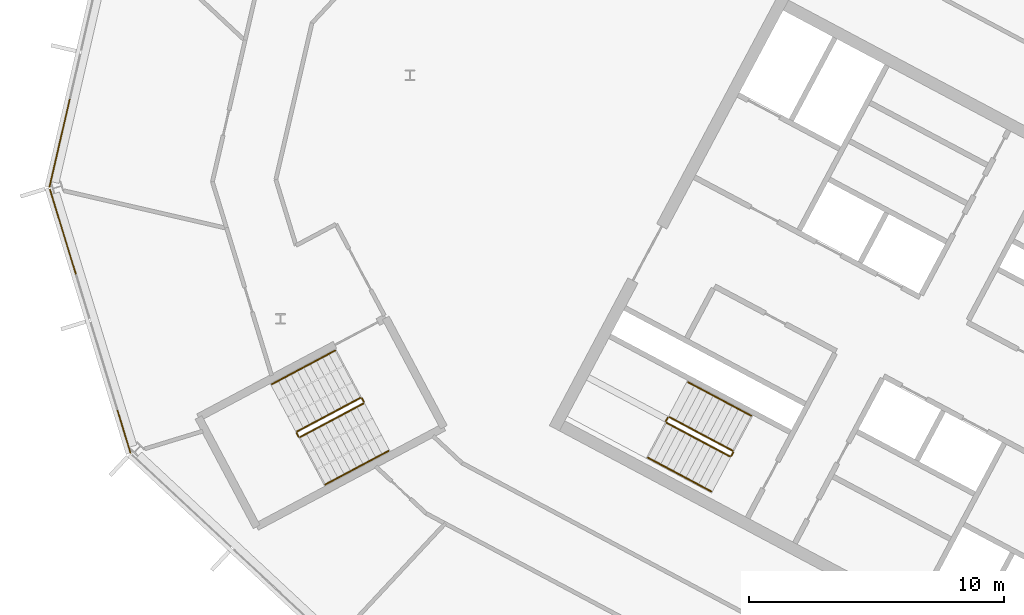
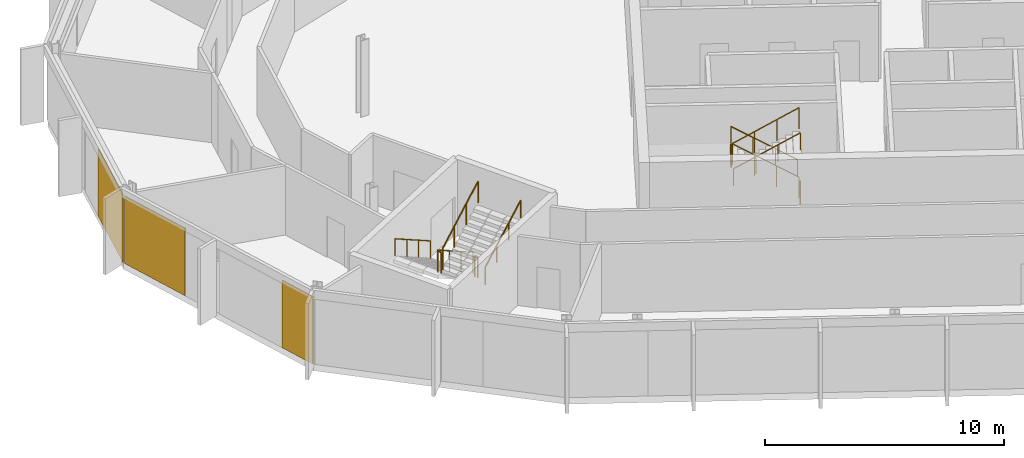
# One storey, part 20 of 25: 12 railings, 3 coverings, 2 elements without a shape of their own.
"""IFC4 building model written with IfcOpenShell, lengths in metres."""

from ifc_helpers import new_model, si_unit, direction, frame, origin, origin_2d, place, context, subcontext, project, spatial, polyline, rectangle, outline, extrude, material, layer, layer_set, type_object, element, aggregate, save


model = new_model("IFC4")

# Units and contexts
model_context = context("Model", 3, precision=1e-05, world=origin(), true_north=direction((0.0, 1.0)))
body_context = subcontext(model_context, "Body", "Model", "MODEL_VIEW")
ifc_project = project(units=[si_unit("LENGTHUNIT", "METRE"), si_unit("AREAUNIT", "SQUARE_METRE"), si_unit("VOLUMEUNIT", "CUBIC_METRE"), si_unit("PLANEANGLEUNIT", "RADIAN"), si_unit("MASSUNIT", "GRAM", prefix="KILO")], contexts=[model_context])

# Site, building, storey
site_placement = place(None, origin())
site = spatial("IfcSite", under=ifc_project, at=site_placement, CompositionType="ELEMENT")
building_placement = place(site_placement, origin())
building = spatial("IfcBuilding", under=site, at=building_placement, Name="Cormorant Relay Tower", CompositionType="ELEMENT")
storey_placement = place(building_placement, frame((0.0, 0.0, 289.199951171875)))
storey = spatial("IfcBuildingStorey", under=building, at=storey_placement, Name="L65", CompositionType="ELEMENT", Elevation=289.199951171875)

# Curtain wall, covering
ifc_material_1 = material(Name="Aluminium 6063-T6 anodised bronze", Category="aluminium")
ifc_layer_1 = layer(ifc_material_1, 0.199951171875)
ifc_layer_set_1 = layer_set([ifc_layer_1], Name="CW1 unitised bronze curtain wall with vertical fins")
curtain_wall_type = type_object("IfcCurtainWallType", Name="CW1 unitised bronze curtain wall with vertical fins", PredefinedType="NOTDEFINED", material=ifc_layer_set_1)
curtain_wall_1_placement = place(storey_placement, origin())
curtain_wall_1 = element("IfcCurtainWall", 1, at=curtain_wall_1_placement, inside=storey, type_object=curtain_wall_type, Name="CW1 curtain wall 13", PredefinedType="NOTDEFINED")
ifc_material_2 = material(Name="Pale bronze anodised aluminium insulated panel", Category="aluminium")
ifc_layer_2 = layer(ifc_material_2, 0.0400390625)
ifc_layer_set_2 = layer_set([ifc_layer_2], Name="CW1 pale bronze insulated panel 40")
covering_type = type_object("IfcCoveringType", Name="CW1 pale bronze insulated panel 40", PredefinedType="CLADDING", material=ifc_layer_set_2)
covering_1_placement = place(storey_placement, frame((-60.3388671875, 22.13232421875, 0.0), z_axis=(0.0, 0.0, 1.0), x_axis=(-0.224951054344, -0.974370064785, 0.0)))
covering_1 = element("IfcCovering", 2, at=covering_1_placement, type_object=covering_type, Name="CW1 panel S02", PredefinedType="CLADDING", context=body_context, shape_type="SweptSolid", body=[
    extrude(rectangle(XDim=3.560302734375, YDim=0.0400390625, at=origin_2d()), origin(), (0.0, 0.0, 1.0), 3.449951171875),
])
aggregate(curtain_wall_1, [covering_1])

# Curtain wall, coverings
curtain_wall_2_placement = place(storey_placement, origin())
curtain_wall_2 = element("IfcCurtainWall", 3, at=curtain_wall_2_placement, inside=storey, type_object=curtain_wall_type, Name="CW1 curtain wall 14", PredefinedType="NOTDEFINED")
covering_2_placement = place(storey_placement, frame((-60.20751953125, 18.6494140625, 0.0), z_axis=(0.0, 0.0, 1.0), x_axis=(0.292371704723, -0.956304755963, 0.0)))
covering_2 = element("IfcCovering", 4, at=covering_2_placement, type_object=covering_type, Name="CW1 panel S00", PredefinedType="CLADDING", context=body_context, shape_type="SweptSolid", body=[
    extrude(rectangle(XDim=3.485107421875, YDim=0.0400390625, at=origin_2d()), origin(), (0.0, 0.0, 1.0), 3.449951171875),
])
covering_3_placement = place(storey_placement, frame((-57.818115234375, 10.833740234375, 0.0), z_axis=(0.0, 0.0, 1.0), x_axis=(0.292371704723, -0.956304755963, 0.0)))
covering_3 = element("IfcCovering", 5, at=covering_3_placement, type_object=covering_type, Name="CW1 panel S03", PredefinedType="CLADDING", context=body_context, shape_type="SweptSolid", body=[
    extrude(rectangle(XDim=1.76025390625, YDim=0.0400390625, at=origin_2d()), origin(), (0.0, 0.0, 1.0), 3.449951171875),
])
aggregate(curtain_wall_2, [covering_2, covering_3])

# Railings
ifc_material_3 = material(Name="Steel ASTM A572 Grade 50 (Fy 345 MPa)", Category="steel")
railing_type_1 = type_object("IfcRailingType", Name="Stair guard 1100", PredefinedType="GUARDRAIL", material=ifc_material_3)
railing_1_placement = place(storey_placement, frame((-33.9921875, 10.08935546875, 0.17724609375)))
element("IfcRailing", 6, at=railing_1_placement, inside=storey, type_object=railing_type_1, Name="L65 A2 stair guard 1", PredefinedType="GUARDRAIL", context=body_context, shape_type="SweptSolid", body=[
    extrude(outline(polyline([(0.022216796875, 0.00927734375), (0.00927734375, 0.022216796875), (-0.00927734375, 0.022216796875), (-0.022216796875, 0.00927734375), (-0.022216796875, -0.00927734375), (-0.00927734375, -0.022216796875), (0.00927734375, -0.022216796875), (0.022216796875, -0.00927734375), (0.022216796875, 0.00927734375)])), frame((0.0, 0.0, 1.076171875), z_axis=(-0.746001213114, 0.396649272309, 0.534931345884), x_axis=(-0.469465464807, -0.882950835185, 0.0)), (0.0, 0.0, 1.0), 3.31396484375),
    extrude(outline(polyline([(0.019287109375, 0.008056640625), (0.008056640625, 0.019287109375), (-0.008056640625, 0.019287109375), (-0.019287109375, 0.008056640625), (-0.019287109375, -0.008056640625), (-0.008056640625, -0.019287109375), (0.008056640625, -0.019287109375), (0.019287109375, -0.008056640625), (0.019287109375, 0.008056640625)])), origin(), (0.0, 0.0, 1.0), 1.052001953125),
    extrude(outline(polyline([(0.019287109375, 0.008056640625), (0.008056640625, 0.019287109375), (-0.008056640625, 0.019287109375), (-0.019287109375, 0.008056640625), (-0.019287109375, -0.008056640625), (-0.008056640625, -0.019287109375), (0.008056640625, -0.019287109375), (0.019287109375, -0.008056640625), (0.019287109375, 0.008056640625)])), frame((-0.823974609375, 0.438232421875, 0.5908203125)), (0.0, 0.0, 1.0), 1.052001953125),
    extrude(outline(polyline([(0.019287109375, 0.008056640625), (0.008056640625, 0.019287109375), (-0.008056640625, 0.019287109375), (-0.019287109375, 0.008056640625), (-0.019287109375, -0.008056640625), (-0.008056640625, -0.019287109375), (0.008056640625, -0.019287109375), (0.019287109375, -0.008056640625), (0.019287109375, 0.008056640625)])), frame((-1.648193359375, 0.876220703125, 1.181884765625)), (0.0, 0.0, 1.0), 1.052001953125),
    extrude(outline(polyline([(0.019287109375, 0.008056640625), (0.008056640625, 0.019287109375), (-0.008056640625, 0.019287109375), (-0.019287109375, 0.008056640625), (-0.019287109375, -0.008056640625), (-0.008056640625, -0.019287109375), (0.008056640625, -0.019287109375), (0.019287109375, -0.008056640625), (0.019287109375, 0.008056640625)])), frame((-2.47216796875, 1.314453125, 1.772705078125)), (0.0, 0.0, 1.0), 1.052001953125),
])
railing_2_placement = place(storey_placement, frame((-36.531982421875, 11.38330078125, 1.949951171875)))
element("IfcRailing", 7, at=railing_2_placement, inside=storey, type_object=railing_type_1, Name="L65 A2 stair guard 2", PredefinedType="GUARDRAIL", context=body_context, shape_type="SweptSolid", body=[
    extrude(outline(polyline([(0.022216796875, 0.00927734375), (0.00927734375, 0.022216796875), (-0.00927734375, 0.022216796875), (-0.022216796875, 0.00927734375), (-0.022216796875, -0.00927734375), (-0.00927734375, -0.022216796875), (0.00927734375, -0.022216796875), (0.022216796875, -0.00927734375), (0.022216796875, 0.00927734375)])), frame((0.0, 0.0, 1.076171875), z_axis=(-0.469828648786, -0.882757634224, 0.0), x_axis=(0.882757634224, -0.469828648786, 0.0)), (0.0, 0.0, 1.0), 0.150146484375),
    extrude(outline(polyline([(0.019287109375, 0.008056640625), (0.008056640625, 0.019287109375), (-0.008056640625, 0.019287109375), (-0.019287109375, 0.008056640625), (-0.019287109375, -0.008056640625), (-0.008056640625, -0.019287109375), (0.008056640625, -0.019287109375), (0.019287109375, -0.008056640625), (0.019287109375, 0.008056640625)])), origin(), (0.0, 0.0, 1.0), 1.052001953125),
    extrude(outline(polyline([(0.019287109375, 0.008056640625), (0.008056640625, 0.019287109375), (-0.008056640625, 0.019287109375), (-0.019287109375, 0.008056640625), (-0.019287109375, -0.008056640625), (-0.008056640625, -0.019287109375), (0.008056640625, -0.019287109375), (0.019287109375, -0.008056640625), (0.019287109375, 0.008056640625)])), frame((-0.070556640625, -0.132568359375, 0.0)), (0.0, 0.0, 1.0), 1.052001953125),
])
railing_3_placement = place(storey_placement, frame((-36.581787109375, 11.18310546875, 2.12744140625)))
element("IfcRailing", 8, at=railing_3_placement, inside=storey, type_object=railing_type_1, Name="L65 A2 stair guard 3", PredefinedType="GUARDRAIL", context=body_context, shape_type="SweptSolid", body=[
    extrude(outline(polyline([(0.022216796875, 0.00927734375), (0.00927734375, 0.022216796875), (-0.00927734375, 0.022216796875), (-0.022216796875, 0.00927734375), (-0.022216796875, -0.00927734375), (-0.00927734375, -0.022216796875), (0.00927734375, -0.022216796875), (0.022216796875, -0.00927734375), (0.022216796875, 0.00927734375)])), frame((0.0, 0.0, 1.076171875), z_axis=(0.746001213114, -0.396649272309, 0.534931345884), x_axis=(0.469465464807, 0.882950835185, 0.0)), (0.0, 0.0, 1.0), 3.31396484375),
    extrude(outline(polyline([(0.019287109375, 0.008056640625), (0.008056640625, 0.019287109375), (-0.008056640625, 0.019287109375), (-0.019287109375, 0.008056640625), (-0.019287109375, -0.008056640625), (-0.008056640625, -0.019287109375), (0.008056640625, -0.019287109375), (0.019287109375, -0.008056640625), (0.019287109375, 0.008056640625)])), origin(), (0.0, 0.0, 1.0), 1.052001953125),
    extrude(outline(polyline([(0.019287109375, 0.008056640625), (0.008056640625, 0.019287109375), (-0.008056640625, 0.019287109375), (-0.019287109375, 0.008056640625), (-0.019287109375, -0.008056640625), (-0.008056640625, -0.019287109375), (0.008056640625, -0.019287109375), (0.019287109375, -0.008056640625), (0.019287109375, 0.008056640625)])), frame((0.823974609375, -0.438232421875, 0.5908203125)), (0.0, 0.0, 1.0), 1.052001953125),
    extrude(outline(polyline([(0.019287109375, 0.008056640625), (0.008056640625, 0.019287109375), (-0.008056640625, 0.019287109375), (-0.019287109375, 0.008056640625), (-0.019287109375, -0.008056640625), (-0.008056640625, -0.019287109375), (0.008056640625, -0.019287109375), (0.019287109375, -0.008056640625), (0.019287109375, 0.008056640625)])), frame((1.648193359375, -0.876220703125, 1.181884765625)), (0.0, 0.0, 1.0), 1.052001953125),
    extrude(outline(polyline([(0.019287109375, 0.008056640625), (0.008056640625, 0.019287109375), (-0.008056640625, 0.019287109375), (-0.019287109375, 0.008056640625), (-0.019287109375, -0.008056640625), (-0.008056640625, -0.019287109375), (0.008056640625, -0.019287109375), (0.019287109375, -0.008056640625), (0.019287109375, 0.008056640625)])), frame((2.47216796875, -1.314453125, 1.772705078125)), (0.0, 0.0, 1.0), 1.052001953125),
])
railing_4_placement = place(storey_placement, frame((-33.971435546875, 10.021728515625, 0.0)))
element("IfcRailing", 9, at=railing_4_placement, inside=storey, type_object=railing_type_1, Name="L65 A2 stair guard 4", PredefinedType="GUARDRAIL", context=body_context, shape_type="SweptSolid", body=[
    extrude(outline(polyline([(0.022216796875, 0.00927734375), (0.00927734375, 0.022216796875), (-0.00927734375, 0.022216796875), (-0.022216796875, 0.00927734375), (-0.022216796875, -0.00927734375), (-0.00927734375, -0.022216796875), (0.00927734375, -0.022216796875), (0.022216796875, -0.00927734375), (0.022216796875, 0.00927734375)])), frame((0.0, 0.0, 1.076171875), z_axis=(-0.470503732759, -0.882398003998, 0.0), x_axis=(0.882398003998, -0.470503732759, 0.0)), (0.0, 0.0, 1.0), 0.14990234375),
    extrude(outline(polyline([(0.019287109375, 0.008056640625), (0.008056640625, 0.019287109375), (-0.008056640625, 0.019287109375), (-0.019287109375, 0.008056640625), (-0.019287109375, -0.008056640625), (-0.008056640625, -0.019287109375), (0.008056640625, -0.019287109375), (0.019287109375, -0.008056640625), (0.019287109375, 0.008056640625)])), origin(), (0.0, 0.0, 1.0), 1.052001953125),
    extrude(outline(polyline([(0.019287109375, 0.008056640625), (0.008056640625, 0.019287109375), (-0.008056640625, 0.019287109375), (-0.019287109375, 0.008056640625), (-0.019287109375, -0.008056640625), (-0.008056640625, -0.019287109375), (0.008056640625, -0.019287109375), (0.019287109375, -0.008056640625), (0.019287109375, 0.008056640625)])), frame((-0.070556640625, -0.13232421875, 0.0)), (0.0, 0.0, 1.0), 1.052001953125),
])
railing_5_placement = place(storey_placement, frame((-48.5693359375, 12.155517578125, 0.17724609375)))
element("IfcRailing", 10, at=railing_5_placement, inside=storey, type_object=railing_type_1, Name="L65 RP1 stair guard 1", PredefinedType="GUARDRAIL", context=body_context, shape_type="SweptSolid", body=[
    extrude(outline(polyline([(0.022216796875, 0.00927734375), (0.00927734375, 0.022216796875), (-0.00927734375, 0.022216796875), (-0.022216796875, 0.00927734375), (-0.022216796875, -0.00927734375), (-0.00927734375, -0.022216796875), (0.00927734375, -0.022216796875), (0.022216796875, -0.00927734375), (0.022216796875, 0.00927734375)])), frame((0.0, 0.0, 1.076171875), z_axis=(-0.746012083385, -0.396689549623, 0.534886317514), x_axis=(0.469497295046, -0.882933910293, 0.0)), (0.0, 0.0, 1.0), 3.314208984375),
    extrude(outline(polyline([(0.019287109375, 0.008056640625), (0.008056640625, 0.019287109375), (-0.008056640625, 0.019287109375), (-0.019287109375, 0.008056640625), (-0.019287109375, -0.008056640625), (-0.008056640625, -0.019287109375), (0.008056640625, -0.019287109375), (0.019287109375, -0.008056640625), (0.019287109375, 0.008056640625)])), origin(), (0.0, 0.0, 1.0), 1.052001953125),
    extrude(outline(polyline([(0.019287109375, 0.008056640625), (0.008056640625, 0.019287109375), (-0.008056640625, 0.019287109375), (-0.019287109375, 0.008056640625), (-0.019287109375, -0.008056640625), (-0.008056640625, -0.019287109375), (0.008056640625, -0.019287109375), (0.019287109375, -0.008056640625), (0.019287109375, 0.008056640625)])), frame((-0.82421875, -0.438232421875, 0.5908203125)), (0.0, 0.0, 1.0), 1.052001953125),
    extrude(outline(polyline([(0.019287109375, 0.008056640625), (0.008056640625, 0.019287109375), (-0.008056640625, 0.019287109375), (-0.019287109375, 0.008056640625), (-0.019287109375, -0.008056640625), (-0.008056640625, -0.019287109375), (0.008056640625, -0.019287109375), (0.019287109375, -0.008056640625), (0.019287109375, 0.008056640625)])), frame((-1.648193359375, -0.87646484375, 1.181884765625)), (0.0, 0.0, 1.0), 1.052001953125),
    extrude(outline(polyline([(0.019287109375, 0.008056640625), (0.008056640625, 0.019287109375), (-0.008056640625, 0.019287109375), (-0.019287109375, 0.008056640625), (-0.019287109375, -0.008056640625), (-0.008056640625, -0.019287109375), (0.008056640625, -0.019287109375), (0.019287109375, -0.008056640625), (0.019287109375, 0.008056640625)])), frame((-2.472412109375, -1.314697265625, 1.772705078125)), (0.0, 0.0, 1.0), 1.052001953125),
])
railing_6_placement = place(storey_placement, frame((-51.062255859375, 10.773193359375, 1.949951171875)))
element("IfcRailing", 11, at=railing_6_placement, inside=storey, type_object=railing_type_1, Name="L65 RP1 stair guard 2", PredefinedType="GUARDRAIL", context=body_context, shape_type="SweptSolid", body=[
    extrude(outline(polyline([(0.022216796875, 0.00927734375), (0.00927734375, 0.022216796875), (-0.00927734375, 0.022216796875), (-0.022216796875, 0.00927734375), (-0.022216796875, -0.00927734375), (-0.00927734375, -0.022216796875), (0.00927734375, -0.022216796875), (0.022216796875, -0.00927734375), (0.022216796875, 0.00927734375)])), frame((0.0, 0.0, 1.076171875), z_axis=(0.469234640946, -0.883073525669, 0.0), x_axis=(0.883073525669, 0.469234640946, 0.0)), (0.0, 0.0, 1.0), 0.14990234375),
    extrude(outline(polyline([(0.019287109375, 0.008056640625), (0.008056640625, 0.019287109375), (-0.008056640625, 0.019287109375), (-0.019287109375, 0.008056640625), (-0.019287109375, -0.008056640625), (-0.008056640625, -0.019287109375), (0.008056640625, -0.019287109375), (0.019287109375, -0.008056640625), (0.019287109375, 0.008056640625)])), origin(), (0.0, 0.0, 1.0), 1.052001953125),
    extrude(outline(polyline([(0.019287109375, 0.008056640625), (0.008056640625, 0.019287109375), (-0.008056640625, 0.019287109375), (-0.019287109375, 0.008056640625), (-0.019287109375, -0.008056640625), (-0.008056640625, -0.019287109375), (0.008056640625, -0.019287109375), (0.019287109375, -0.008056640625), (0.019287109375, 0.008056640625)])), frame((0.0703125, -0.13232421875, 0.0)), (0.0, 0.0, 1.0), 1.052001953125),
])
railing_7_placement = place(storey_placement, frame((-50.92431640625, 10.6201171875, 2.12744140625)))
element("IfcRailing", 12, at=railing_7_placement, inside=storey, type_object=railing_type_1, Name="L65 RP1 stair guard 3", PredefinedType="GUARDRAIL", context=body_context, shape_type="SweptSolid", body=[
    extrude(outline(polyline([(0.022216796875, 0.00927734375), (0.00927734375, 0.022216796875), (-0.00927734375, 0.022216796875), (-0.022216796875, 0.00927734375), (-0.022216796875, -0.00927734375), (-0.00927734375, -0.022216796875), (0.00927734375, -0.022216796875), (0.022216796875, -0.00927734375), (0.022216796875, 0.00927734375)])), frame((0.0, 0.0, 1.076171875), z_axis=(0.746033882577, 0.396627473466, 0.534901947407), x_axis=(-0.469429322983, 0.882970050864, 0.0)), (0.0, 0.0, 1.0), 3.31396484375),
    extrude(outline(polyline([(0.019287109375, 0.008056640625), (0.008056640625, 0.019287109375), (-0.008056640625, 0.019287109375), (-0.019287109375, 0.008056640625), (-0.019287109375, -0.008056640625), (-0.008056640625, -0.019287109375), (0.008056640625, -0.019287109375), (0.019287109375, -0.008056640625), (0.019287109375, 0.008056640625)])), origin(), (0.0, 0.0, 1.0), 1.052001953125),
    extrude(outline(polyline([(0.019287109375, 0.008056640625), (0.008056640625, 0.019287109375), (-0.008056640625, 0.019287109375), (-0.019287109375, 0.008056640625), (-0.019287109375, -0.008056640625), (-0.008056640625, -0.019287109375), (0.008056640625, -0.019287109375), (0.019287109375, -0.008056640625), (0.019287109375, 0.008056640625)])), frame((0.82421875, 0.438232421875, 0.5908203125)), (0.0, 0.0, 1.0), 1.052001953125),
    extrude(outline(polyline([(0.019287109375, 0.008056640625), (0.008056640625, 0.019287109375), (-0.008056640625, 0.019287109375), (-0.019287109375, 0.008056640625), (-0.019287109375, -0.008056640625), (-0.008056640625, -0.019287109375), (0.008056640625, -0.019287109375), (0.019287109375, -0.008056640625), (0.019287109375, 0.008056640625)])), frame((1.648193359375, 0.876220703125, 1.181884765625)), (0.0, 0.0, 1.0), 1.052001953125),
    extrude(outline(polyline([(0.019287109375, 0.008056640625), (0.008056640625, 0.019287109375), (-0.008056640625, 0.019287109375), (-0.019287109375, 0.008056640625), (-0.019287109375, -0.008056640625), (-0.008056640625, -0.019287109375), (0.008056640625, -0.019287109375), (0.019287109375, -0.008056640625), (0.019287109375, 0.008056640625)])), frame((2.472412109375, 1.314453125, 1.772705078125)), (0.0, 0.0, 1.0), 1.052001953125),
])
railing_8_placement = place(storey_placement, frame((-48.501708984375, 12.134765625, 0.0)))
element("IfcRailing", 13, at=railing_8_placement, inside=storey, type_object=railing_type_1, Name="L65 RP1 stair guard 4", PredefinedType="GUARDRAIL", context=body_context, shape_type="SweptSolid", body=[
    extrude(outline(polyline([(0.022216796875, 0.00927734375), (0.00927734375, 0.022216796875), (-0.00927734375, 0.022216796875), (-0.022216796875, 0.00927734375), (-0.022216796875, -0.00927734375), (-0.00927734375, -0.022216796875), (0.00927734375, -0.022216796875), (0.022216796875, -0.00927734375), (0.022216796875, 0.00927734375)])), frame((0.0, 0.0, 1.076171875), z_axis=(0.46856034887, -0.8834314911, 0.0), x_axis=(0.8834314911, 0.46856034887, 0.0)), (0.0, 0.0, 1.0), 0.150146484375),
    extrude(outline(polyline([(0.019287109375, 0.008056640625), (0.008056640625, 0.019287109375), (-0.008056640625, 0.019287109375), (-0.019287109375, 0.008056640625), (-0.019287109375, -0.008056640625), (-0.008056640625, -0.019287109375), (0.008056640625, -0.019287109375), (0.019287109375, -0.008056640625), (0.019287109375, 0.008056640625)])), origin(), (0.0, 0.0, 1.0), 1.052001953125),
    extrude(outline(polyline([(0.019287109375, 0.008056640625), (0.008056640625, 0.019287109375), (-0.008056640625, 0.019287109375), (-0.019287109375, 0.008056640625), (-0.019287109375, -0.008056640625), (-0.008056640625, -0.019287109375), (0.008056640625, -0.019287109375), (0.019287109375, -0.008056640625), (0.019287109375, 0.008056640625)])), frame((0.0703125, -0.132568359375, 0.0)), (0.0, 0.0, 1.0), 1.052001953125),
])
ifc_material_4 = material(Name="Steel ASTM A572 Grade 50 (Fy 345 MPa)", Category="steel")
railing_type_2 = type_object("IfcRailingType", Name="Stair handrail 900", PredefinedType="HANDRAIL", material=ifc_material_4)
railing_9_placement = place(storey_placement, frame((-33.264404296875, 11.4580078125, 0.17724609375)))
element("IfcRailing", 14, at=railing_9_placement, inside=storey, type_object=railing_type_2, Name="L65 A2 stair handrail 1", PredefinedType="HANDRAIL", context=body_context, shape_type="SweptSolid", body=[
    extrude(outline(polyline([(0.022216796875, 0.00927734375), (0.00927734375, 0.022216796875), (-0.00927734375, 0.022216796875), (-0.022216796875, 0.00927734375), (-0.022216796875, -0.00927734375), (-0.00927734375, -0.022216796875), (0.00927734375, -0.022216796875), (0.022216796875, -0.00927734375), (0.022216796875, 0.00927734375)])), frame((0.0, 0.0, 0.8759765625), z_axis=(-0.746033882577, 0.396627473466, 0.534901947407), x_axis=(-0.469429322983, -0.882970050864, 0.0)), (0.0, 0.0, 1.0), 3.31396484375),
    extrude(outline(polyline([(0.019287109375, 0.008056640625), (0.008056640625, 0.019287109375), (-0.008056640625, 0.019287109375), (-0.019287109375, 0.008056640625), (-0.019287109375, -0.008056640625), (-0.008056640625, -0.019287109375), (0.008056640625, -0.019287109375), (0.019287109375, -0.008056640625), (0.019287109375, 0.008056640625)])), origin(), (0.0, 0.0, 1.0), 0.851806640625),
    extrude(outline(polyline([(0.019287109375, 0.008056640625), (0.008056640625, 0.019287109375), (-0.008056640625, 0.019287109375), (-0.019287109375, 0.008056640625), (-0.019287109375, -0.008056640625), (-0.008056640625, -0.019287109375), (0.008056640625, -0.019287109375), (0.019287109375, -0.008056640625), (0.019287109375, 0.008056640625)])), frame((-0.82421875, 0.438232421875, 0.5908203125)), (0.0, 0.0, 1.0), 0.851806640625),
    extrude(outline(polyline([(0.019287109375, 0.008056640625), (0.008056640625, 0.019287109375), (-0.008056640625, 0.019287109375), (-0.019287109375, 0.008056640625), (-0.019287109375, -0.008056640625), (-0.008056640625, -0.019287109375), (0.008056640625, -0.019287109375), (0.019287109375, -0.008056640625), (0.019287109375, 0.008056640625)])), frame((-1.648193359375, 0.876220703125, 1.181884765625)), (0.0, 0.0, 1.0), 0.851806640625),
    extrude(outline(polyline([(0.019287109375, 0.008056640625), (0.008056640625, 0.019287109375), (-0.008056640625, 0.019287109375), (-0.019287109375, 0.008056640625), (-0.019287109375, -0.008056640625), (-0.008056640625, -0.019287109375), (0.008056640625, -0.019287109375), (0.019287109375, -0.008056640625), (0.019287109375, 0.008056640625)])), frame((-2.472412109375, 1.314453125, 1.772705078125)), (0.0, 0.0, 1.0), 0.851806640625),
])
railing_10_placement = place(storey_placement, frame((-37.3095703125, 9.814453125, 2.12744140625)))
element("IfcRailing", 15, at=railing_10_placement, inside=storey, type_object=railing_type_2, Name="L65 A2 stair handrail 2", PredefinedType="HANDRAIL", context=body_context, shape_type="SweptSolid", body=[
    extrude(outline(polyline([(0.022216796875, 0.00927734375), (0.00927734375, 0.022216796875), (-0.00927734375, 0.022216796875), (-0.022216796875, 0.00927734375), (-0.022216796875, -0.00927734375), (-0.00927734375, -0.022216796875), (0.00927734375, -0.022216796875), (0.022216796875, -0.00927734375), (0.022216796875, 0.00927734375)])), frame((0.0, 0.0, 0.8759765625), z_axis=(0.746033882577, -0.396627473466, 0.534901947407), x_axis=(0.469429322983, 0.882970050864, 0.0)), (0.0, 0.0, 1.0), 3.31396484375),
    extrude(outline(polyline([(0.019287109375, 0.008056640625), (0.008056640625, 0.019287109375), (-0.008056640625, 0.019287109375), (-0.019287109375, 0.008056640625), (-0.019287109375, -0.008056640625), (-0.008056640625, -0.019287109375), (0.008056640625, -0.019287109375), (0.019287109375, -0.008056640625), (0.019287109375, 0.008056640625)])), origin(), (0.0, 0.0, 1.0), 0.851806640625),
    extrude(outline(polyline([(0.019287109375, 0.008056640625), (0.008056640625, 0.019287109375), (-0.008056640625, 0.019287109375), (-0.019287109375, 0.008056640625), (-0.019287109375, -0.008056640625), (-0.008056640625, -0.019287109375), (0.008056640625, -0.019287109375), (0.019287109375, -0.008056640625), (0.019287109375, 0.008056640625)])), frame((0.82421875, -0.438232421875, 0.5908203125)), (0.0, 0.0, 1.0), 0.851806640625),
    extrude(outline(polyline([(0.019287109375, 0.008056640625), (0.008056640625, 0.019287109375), (-0.008056640625, 0.019287109375), (-0.019287109375, 0.008056640625), (-0.019287109375, -0.008056640625), (-0.008056640625, -0.019287109375), (0.008056640625, -0.019287109375), (0.019287109375, -0.008056640625), (0.019287109375, 0.008056640625)])), frame((1.648193359375, -0.876220703125, 1.181884765625)), (0.0, 0.0, 1.0), 0.851806640625),
    extrude(outline(polyline([(0.019287109375, 0.008056640625), (0.008056640625, 0.019287109375), (-0.008056640625, 0.019287109375), (-0.019287109375, 0.008056640625), (-0.019287109375, -0.008056640625), (-0.008056640625, -0.019287109375), (0.008056640625, -0.019287109375), (0.019287109375, -0.008056640625), (0.019287109375, 0.008056640625)])), frame((2.472412109375, -1.314453125, 1.772705078125)), (0.0, 0.0, 1.0), 0.851806640625),
])
railing_11_placement = place(storey_placement, frame((-49.55517578125, 14.009521484375, 0.17724609375)))
element("IfcRailing", 16, at=railing_11_placement, inside=storey, type_object=railing_type_2, Name="L65 RP1 stair handrail 1", PredefinedType="HANDRAIL", context=body_context, shape_type="SweptSolid", body=[
    extrude(outline(polyline([(0.022216796875, 0.00927734375), (0.00927734375, 0.022216796875), (-0.00927734375, 0.022216796875), (-0.022216796875, 0.00927734375), (-0.022216796875, -0.00927734375), (-0.00927734375, -0.022216796875), (0.00927734375, -0.022216796875), (0.022216796875, -0.00927734375), (0.022216796875, 0.00927734375)])), frame((0.0, 0.0, 0.8759765625), z_axis=(-0.746033882577, -0.396627473466, 0.534901947407), x_axis=(0.469429322983, -0.882970050864, 0.0)), (0.0, 0.0, 1.0), 3.31396484375),
    extrude(outline(polyline([(0.019287109375, 0.008056640625), (0.008056640625, 0.019287109375), (-0.008056640625, 0.019287109375), (-0.019287109375, 0.008056640625), (-0.019287109375, -0.008056640625), (-0.008056640625, -0.019287109375), (0.008056640625, -0.019287109375), (0.019287109375, -0.008056640625), (0.019287109375, 0.008056640625)])), origin(), (0.0, 0.0, 1.0), 0.851806640625),
    extrude(outline(polyline([(0.019287109375, 0.008056640625), (0.008056640625, 0.019287109375), (-0.008056640625, 0.019287109375), (-0.019287109375, 0.008056640625), (-0.019287109375, -0.008056640625), (-0.008056640625, -0.019287109375), (0.008056640625, -0.019287109375), (0.019287109375, -0.008056640625), (0.019287109375, 0.008056640625)])), frame((-0.82421875, -0.438232421875, 0.5908203125)), (0.0, 0.0, 1.0), 0.851806640625),
    extrude(outline(polyline([(0.019287109375, 0.008056640625), (0.008056640625, 0.019287109375), (-0.008056640625, 0.019287109375), (-0.019287109375, 0.008056640625), (-0.019287109375, -0.008056640625), (-0.008056640625, -0.019287109375), (0.008056640625, -0.019287109375), (0.019287109375, -0.008056640625), (0.019287109375, 0.008056640625)])), frame((-1.648193359375, -0.876220703125, 1.181884765625)), (0.0, 0.0, 1.0), 0.851806640625),
    extrude(outline(polyline([(0.019287109375, 0.008056640625), (0.008056640625, 0.019287109375), (-0.008056640625, 0.019287109375), (-0.019287109375, 0.008056640625), (-0.019287109375, -0.008056640625), (-0.008056640625, -0.019287109375), (0.008056640625, -0.019287109375), (0.019287109375, -0.008056640625), (0.019287109375, 0.008056640625)])), frame((-2.472412109375, -1.314453125, 1.772705078125)), (0.0, 0.0, 1.0), 0.851806640625),
])
railing_12_placement = place(storey_placement, frame((-49.9384765625, 8.765869140625, 2.12744140625)))
element("IfcRailing", 17, at=railing_12_placement, inside=storey, type_object=railing_type_2, Name="L65 RP1 stair handrail 2", PredefinedType="HANDRAIL", context=body_context, shape_type="SweptSolid", body=[
    extrude(outline(polyline([(0.022216796875, 0.00927734375), (0.00927734375, 0.022216796875), (-0.00927734375, 0.022216796875), (-0.022216796875, 0.00927734375), (-0.022216796875, -0.00927734375), (-0.00927734375, -0.022216796875), (0.00927734375, -0.022216796875), (0.022216796875, -0.00927734375), (0.022216796875, 0.00927734375)])), frame((0.0, 0.0, 0.8759765625), z_axis=(0.746012083385, 0.396689549623, 0.534886317514), x_axis=(-0.469497295046, 0.882933910293, 0.0)), (0.0, 0.0, 1.0), 3.314208984375),
    extrude(outline(polyline([(0.019287109375, 0.008056640625), (0.008056640625, 0.019287109375), (-0.008056640625, 0.019287109375), (-0.019287109375, 0.008056640625), (-0.019287109375, -0.008056640625), (-0.008056640625, -0.019287109375), (0.008056640625, -0.019287109375), (0.019287109375, -0.008056640625), (0.019287109375, 0.008056640625)])), origin(), (0.0, 0.0, 1.0), 0.851806640625),
    extrude(outline(polyline([(0.019287109375, 0.008056640625), (0.008056640625, 0.019287109375), (-0.008056640625, 0.019287109375), (-0.019287109375, 0.008056640625), (-0.019287109375, -0.008056640625), (-0.008056640625, -0.019287109375), (0.008056640625, -0.019287109375), (0.019287109375, -0.008056640625), (0.019287109375, 0.008056640625)])), frame((0.82421875, 0.438232421875, 0.5908203125)), (0.0, 0.0, 1.0), 0.851806640625),
    extrude(outline(polyline([(0.019287109375, 0.008056640625), (0.008056640625, 0.019287109375), (-0.008056640625, 0.019287109375), (-0.019287109375, 0.008056640625), (-0.019287109375, -0.008056640625), (-0.008056640625, -0.019287109375), (0.008056640625, -0.019287109375), (0.019287109375, -0.008056640625), (0.019287109375, 0.008056640625)])), frame((1.648193359375, 0.87646484375, 1.181884765625)), (0.0, 0.0, 1.0), 0.851806640625),
    extrude(outline(polyline([(0.019287109375, 0.008056640625), (0.008056640625, 0.019287109375), (-0.008056640625, 0.019287109375), (-0.019287109375, 0.008056640625), (-0.019287109375, -0.008056640625), (-0.008056640625, -0.019287109375), (0.008056640625, -0.019287109375), (0.019287109375, -0.008056640625), (0.019287109375, 0.008056640625)])), frame((2.472412109375, 1.314697265625, 1.772705078125)), (0.0, 0.0, 1.0), 0.851806640625),
])

save(model, "model.ifc")
